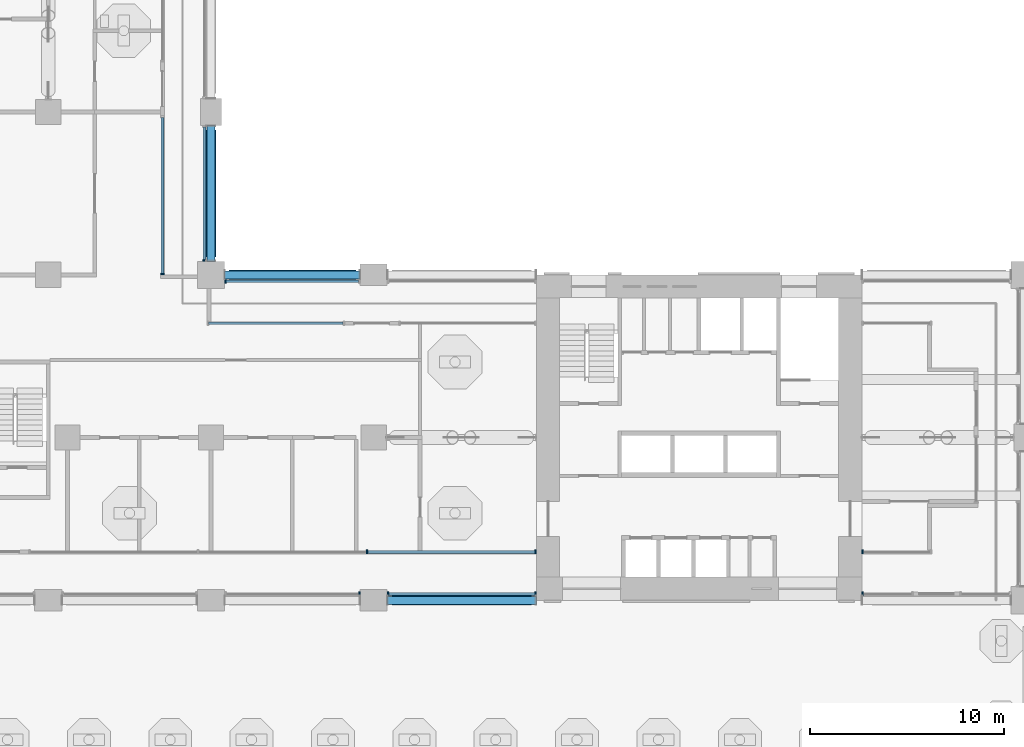
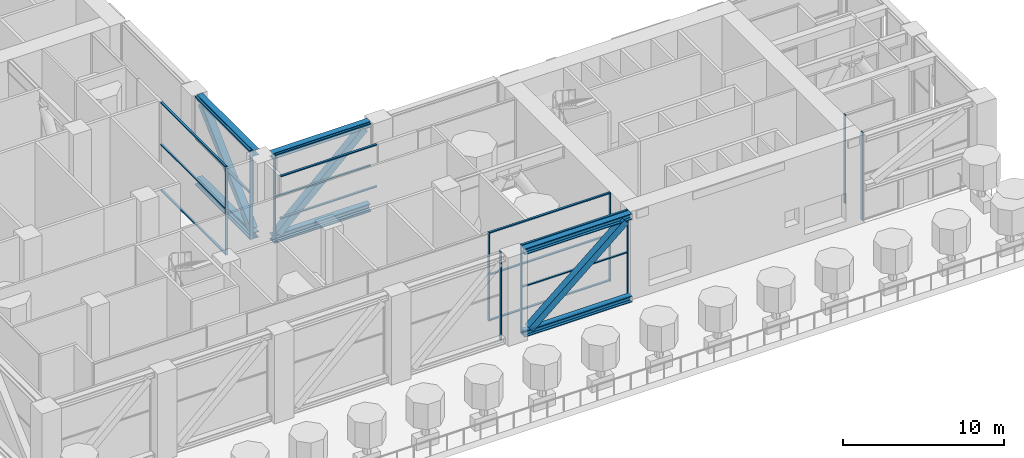
# One storey, part 3 of 28: 36 members, 9 elements without a shape of their own.
"""IFC4 building model written with IfcOpenShell, lengths in metres."""

from ifc_helpers import new_model, si_unit, direction, frame, origin, origin_2d, place, context, subcontext, project, spatial, rectangle, hollow_rectangle, i_section, extrude, material, material_profile, profile_set, type_object, element, aggregate, save


model = new_model("IFC4")

# Units and contexts
model_context = context("Model", 3, precision=1e-05, world=origin(), true_north=direction((0.0, 1.0)))
body_context = subcontext(model_context, "Body", "Model", "MODEL_VIEW")
ifc_project = project(units=[si_unit("LENGTHUNIT", "METRE"), si_unit("AREAUNIT", "SQUARE_METRE"), si_unit("VOLUMEUNIT", "CUBIC_METRE"), si_unit("PLANEANGLEUNIT", "RADIAN"), si_unit("MASSUNIT", "GRAM", prefix="KILO")], contexts=[model_context])

# Site, building, storey
site_placement = place(None, origin())
site = spatial("IfcSite", under=ifc_project, at=site_placement, CompositionType="ELEMENT")
building_placement = place(site_placement, origin())
building = spatial("IfcBuilding", under=site, at=building_placement, Name="Vermilion Gate Residences", CompositionType="ELEMENT")
storey_placement = place(building_placement, frame((0.0, 0.0, 74.199951171875)))
storey = spatial("IfcBuildingStorey", under=building, at=storey_placement, Name="L18", CompositionType="ELEMENT", Elevation=74.199951171875)

# Curtain wall, members
ifc_material_1 = material(Name="Aluminium and glass", Category="aluminium")
curtain_wall_type = type_object("IfcCurtainWallType", Name="SKY GARDEN GLAZING CURTAIN WALL", PredefinedType="NOTDEFINED", material=ifc_material_1)
curtain_wall_1_placement = place(storey_placement, origin())
curtain_wall_1 = element("IfcCurtainWall", 1, at=curtain_wall_1_placement, inside=storey, type_object=curtain_wall_type, Name="Sky Garden Glazing 62", PredefinedType="NOTDEFINED")
ifc_material_2 = material(Name="Aluminium", Category="aluminium")
ifc_material_profile_1 = material_profile(ifc_material_2, rectangle(XDim=0.199951171875, YDim=0.080078125, at=origin_2d()), Name="MULLION 80 X 200")
ifc_profile_set_1 = profile_set([ifc_material_profile_1], Name="Aluminium")
member_type_1 = type_object("IfcMemberType", Name="SKY GARDEN GLAZING MULLION 80 X 200", PredefinedType="MULLION", material=ifc_profile_set_1)
member_1_placement = place(storey_placement, frame((33.2666015625, 10.89990234375, 0.0), z_axis=(0.0, 0.0, 1.0), x_axis=(0.0, 1.0, 0.0)))
member_1 = element("IfcMember", 2, at=member_1_placement, type_object=member_type_1, Name="ECW3 mullion 3", PredefinedType="MULLION", context=body_context, shape_type="SweptSolid", body=[
    extrude(rectangle(XDim=0.199951171875, YDim=0.080078125, at=origin_2d()), origin(), (0.0, 0.0, 1.0), 6.719970703125),
])
member_2_placement = place(storey_placement, frame((41.9599609375, 10.89990234375, 0.0), z_axis=(0.0, 0.0, 1.0), x_axis=(0.0, 1.0, 0.0)))
member_2 = element("IfcMember", 3, at=member_2_placement, type_object=member_type_1, Name="ECW3 mullion 4", PredefinedType="MULLION", context=body_context, shape_type="SweptSolid", body=[
    extrude(rectangle(XDim=0.199951171875, YDim=0.080078125, at=origin_2d()), origin(), (0.0, 0.0, 1.0), 6.719970703125),
])

# Curtain wall, member
curtain_wall_2_placement = place(storey_placement, origin())
curtain_wall_2 = element("IfcCurtainWall", 4, at=curtain_wall_2_placement, inside=storey, type_object=curtain_wall_type, Name="Sky Garden Glazing 70", PredefinedType="NOTDEFINED")
member_3_placement = place(storey_placement, frame((58.840087890625, 10.89990234375, 0.0), z_axis=(0.0, 0.0, 1.0), x_axis=(0.0, 1.0, 0.0)))
member_3 = element("IfcMember", 5, at=member_3_placement, type_object=member_type_1, Name="ECW3 mullion 1", PredefinedType="MULLION", context=body_context, shape_type="SweptSolid", body=[
    extrude(rectangle(XDim=0.199951171875, YDim=0.080078125, at=origin_2d()), origin(), (0.0, 0.0, 1.0), 6.719970703125),
])
aggregate(curtain_wall_2, [member_3])

curtain_wall_3_placement = place(storey_placement, origin())
curtain_wall_3 = element("IfcCurtainWall", 6, at=curtain_wall_3_placement, inside=storey, type_object=curtain_wall_type, Name="Sky Garden Glazing 170", PredefinedType="NOTDEFINED")
member_4_placement = place(storey_placement, frame((22.699951171875, 25.239990234375, 0.0), z_axis=(0.0, 0.0, 1.0), x_axis=(-1.0, 0.0, 0.0)))
member_4 = element("IfcMember", 7, at=member_4_placement, type_object=member_type_1, Name="ECW3 mullion 1", PredefinedType="MULLION", context=body_context, shape_type="SweptSolid", body=[
    extrude(rectangle(XDim=0.199951171875, YDim=0.080078125, at=origin_2d()), origin(), (0.0, 0.0, 1.0), 6.719970703125),
])

curtain_wall_4_placement = place(storey_placement, origin())
curtain_wall_4 = element("IfcCurtainWall", 8, at=curtain_wall_4_placement, inside=storey, type_object=curtain_wall_type, Name="Sky Garden Glazing 509", PredefinedType="NOTDEFINED")
member_5_placement = place(storey_placement, frame((32.860107421875, 8.72998046875, 0.0), z_axis=(0.0, 0.0, 1.0), x_axis=(0.0, 1.0, 0.0)))
member_5 = element("IfcMember", 9, at=member_5_placement, type_object=member_type_1, Name="ECW3 mullion 2", PredefinedType="MULLION", context=body_context, shape_type="SweptSolid", body=[
    extrude(rectangle(XDim=0.199951171875, YDim=0.080078125, at=origin_2d()), origin(), (0.0, 0.0, 1.0), 6.719970703125),
])
aggregate(curtain_wall_4, [member_5])

# Curtain wall, members
curtain_wall_5_placement = place(storey_placement, origin())
curtain_wall_5 = element("IfcCurtainWall", 10, at=curtain_wall_5_placement, inside=storey, type_object=curtain_wall_type, Name="Sky Garden Glazing 510", PredefinedType="NOTDEFINED")
member_6_placement = place(storey_placement, frame((34.340087890625, 8.72998046875, 0.0), z_axis=(0.0, 0.0, 1.0), x_axis=(0.0, 1.0, 0.0)))
member_6 = element("IfcMember", 11, at=member_6_placement, type_object=member_type_1, Name="ECW3 mullion 1", PredefinedType="MULLION", context=body_context, shape_type="SweptSolid", body=[
    extrude(rectangle(XDim=0.199951171875, YDim=0.080078125, at=origin_2d()), origin(), (0.0, 0.0, 1.0), 6.719970703125),
])
member_7_placement = place(storey_placement, frame((41.9599609375, 8.72998046875, 0.0), z_axis=(0.0, 0.0, 1.0), x_axis=(0.0, 1.0, 0.0)))
member_7 = element("IfcMember", 12, at=member_7_placement, type_object=member_type_1, Name="ECW3 mullion 2", PredefinedType="MULLION", context=body_context, shape_type="SweptSolid", body=[
    extrude(rectangle(XDim=0.199951171875, YDim=0.080078125, at=origin_2d()), origin(), (0.0, 0.0, 1.0), 6.719970703125),
])

# Curtain wall, member
curtain_wall_6_placement = place(storey_placement, origin())
curtain_wall_6 = element("IfcCurtainWall", 13, at=curtain_wall_6_placement, inside=storey, type_object=curtain_wall_type, Name="Sky Garden Glazing 810", PredefinedType="NOTDEFINED")
member_8_placement = place(storey_placement, frame((58.840087890625, 8.72998046875, 0.0), z_axis=(0.0, 0.0, 1.0), x_axis=(0.0, 1.0, 0.0)))
member_8 = element("IfcMember", 14, at=member_8_placement, type_object=member_type_1, Name="ECW3 mullion 1", PredefinedType="MULLION", context=body_context, shape_type="SweptSolid", body=[
    extrude(rectangle(XDim=0.199951171875, YDim=0.080078125, at=origin_2d()), origin(), (0.0, 0.0, 1.0), 6.719970703125),
])
aggregate(curtain_wall_6, [member_8])

curtain_wall_7_placement = place(storey_placement, origin())
curtain_wall_7 = element("IfcCurtainWall", 15, at=curtain_wall_7_placement, inside=storey, type_object=curtain_wall_type, Name="Sky Garden Glazing 518", PredefinedType="NOTDEFINED")
member_9_placement = place(storey_placement, frame((25.93994140625, 24.8701171875, 0.0), z_axis=(0.0, 0.0, 1.0), x_axis=(0.0, -1.0, 0.0)))
member_9 = element("IfcMember", 16, at=member_9_placement, type_object=member_type_1, Name="ECW3 mullion 2", PredefinedType="MULLION", context=body_context, shape_type="SweptSolid", body=[
    extrude(rectangle(XDim=0.199951171875, YDim=0.080078125, at=origin_2d()), origin(), (0.0, 0.0, 1.0), 6.719970703125),
])

curtain_wall_8_placement = place(storey_placement, origin())
curtain_wall_8 = element("IfcCurtainWall", 17, at=curtain_wall_8_placement, inside=storey, type_object=curtain_wall_type, Name="Sky Garden Glazing 519", PredefinedType="NOTDEFINED")
member_10_placement = place(storey_placement, frame((24.8701171875, 25.93994140625, 0.0), z_axis=(0.0, 0.0, 1.0), x_axis=(-1.0, 0.0, 0.0)))
member_10 = element("IfcMember", 18, at=member_10_placement, type_object=member_type_1, Name="ECW3 mullion 1", PredefinedType="MULLION", context=body_context, shape_type="SweptSolid", body=[
    extrude(rectangle(XDim=0.199951171875, YDim=0.080078125, at=origin_2d()), origin(), (0.0, 0.0, 1.0), 6.719970703125),
])

# Member
ifc_material_3 = material(Name="Aluminium", Category="aluminium")
ifc_material_profile_2 = material_profile(ifc_material_3, rectangle(XDim=0.14990234375, YDim=0.080078125, at=origin_2d()), Name="TRANSOM 80 X 150")
ifc_profile_set_2 = profile_set([ifc_material_profile_2], Name="Aluminium")
member_type_2 = type_object("IfcMemberType", Name="SKY GARDEN GLAZING TRANSOM 80 X 150", PredefinedType="MULLION", material=ifc_profile_set_2)
member_11_placement = place(storey_placement, frame((33.306640625, 10.89990234375, 0.0400390625), z_axis=(1.0, 0.0, 0.0), x_axis=(0.0, 1.0, 0.0)))
member_11 = element("IfcMember", 19, at=member_11_placement, type_object=member_type_2, Name="ECW3 transom 3.1", PredefinedType="MULLION", context=body_context, shape_type="SweptSolid", body=[
    extrude(rectangle(XDim=0.14990234375, YDim=0.080078125, at=origin_2d()), origin(), (0.0, 0.0, 1.0), 8.61328125),
])

member_12_placement = place(storey_placement, frame((33.306640625, 10.89990234375, 3.5), z_axis=(1.0, 0.0, 0.0), x_axis=(0.0, 1.0, 0.0)))
member_12 = element("IfcMember", 20, at=member_12_placement, type_object=member_type_2, Name="ECW3 transom 3.2", PredefinedType="MULLION", context=body_context, shape_type="SweptSolid", body=[
    extrude(rectangle(XDim=0.14990234375, YDim=0.080078125, at=origin_2d()), origin(), (0.0, 0.0, 1.0), 8.61328125),
])

member_13_placement = place(storey_placement, frame((33.306640625, 10.89990234375, 6.679931640625), z_axis=(1.0, 0.0, 0.0), x_axis=(0.0, 1.0, 0.0)))
member_13 = element("IfcMember", 21, at=member_13_placement, type_object=member_type_2, Name="ECW3 transom 3.3", PredefinedType="MULLION", context=body_context, shape_type="SweptSolid", body=[
    extrude(rectangle(XDim=0.14990234375, YDim=0.080078125, at=origin_2d()), origin(), (0.0, 0.0, 1.0), 8.61328125),
])

aggregate(curtain_wall_1, [member_1, member_2, member_11, member_12, member_13])

# Curtain wall, members
curtain_wall_9_placement = place(storey_placement, origin())
curtain_wall_9 = element("IfcCurtainWall", 22, at=curtain_wall_9_placement, inside=storey, type_object=curtain_wall_type, Name="Sky Garden Glazing 142", PredefinedType="NOTDEFINED")
member_14_placement = place(storey_placement, frame((32.02001953125, 22.699951171875, 3.5), z_axis=(-1.0, 0.0, 0.0), x_axis=(0.0, -1.0, 0.0)))
member_14 = element("IfcMember", 23, at=member_14_placement, type_object=member_type_2, Name="ECW3 transom 1.2", PredefinedType="MULLION", context=body_context, shape_type="SweptSolid", body=[
    extrude(rectangle(XDim=0.14990234375, YDim=0.080078125, at=origin_2d()), origin(), (0.0, 0.0, 1.0), 6.93994140625),
])
member_15_placement = place(storey_placement, frame((32.02001953125, 22.699951171875, 6.679931640625), z_axis=(-1.0, 0.0, 0.0), x_axis=(0.0, -1.0, 0.0)))
member_15 = element("IfcMember", 24, at=member_15_placement, type_object=member_type_2, Name="ECW3 transom 1.3", PredefinedType="MULLION", context=body_context, shape_type="SweptSolid", body=[
    extrude(rectangle(XDim=0.14990234375, YDim=0.080078125, at=origin_2d()), origin(), (0.0, 0.0, 1.0), 6.93994140625),
])
aggregate(curtain_wall_9, [member_14, member_15])

# Member
member_16_placement = place(storey_placement, frame((22.699951171875, 25.280029296875, 0.0400390625), z_axis=(0.0, 1.0, 0.0), x_axis=(-1.0, 0.0, 0.0)))
member_16 = element("IfcMember", 25, at=member_16_placement, type_object=member_type_2, Name="ECW3 transom 1.1", PredefinedType="MULLION", context=body_context, shape_type="SweptSolid", body=[
    extrude(rectangle(XDim=0.14990234375, YDim=0.080078125, at=origin_2d()), origin(), (0.0, 0.0, 1.0), 8.0400390625),
])

member_17_placement = place(storey_placement, frame((22.699951171875, 25.280029296875, 3.5), z_axis=(0.0, 1.0, 0.0), x_axis=(-1.0, 0.0, 0.0)))
member_17 = element("IfcMember", 26, at=member_17_placement, type_object=member_type_2, Name="ECW3 transom 1.2", PredefinedType="MULLION", context=body_context, shape_type="SweptSolid", body=[
    extrude(rectangle(XDim=0.14990234375, YDim=0.080078125, at=origin_2d()), origin(), (0.0, 0.0, 1.0), 8.0400390625),
])

member_18_placement = place(storey_placement, frame((22.699951171875, 25.280029296875, 6.679931640625), z_axis=(0.0, 1.0, 0.0), x_axis=(-1.0, 0.0, 0.0)))
member_18 = element("IfcMember", 27, at=member_18_placement, type_object=member_type_2, Name="ECW3 transom 1.3", PredefinedType="MULLION", context=body_context, shape_type="SweptSolid", body=[
    extrude(rectangle(XDim=0.14990234375, YDim=0.080078125, at=origin_2d()), origin(), (0.0, 0.0, 1.0), 8.0400390625),
])

aggregate(curtain_wall_3, [member_4, member_16, member_17, member_18])

member_19_placement = place(storey_placement, frame((34.3798828125, 8.72998046875, 0.0400390625), z_axis=(1.0, 0.0, 0.0), x_axis=(0.0, 1.0, 0.0)))
member_19 = element("IfcMember", 28, at=member_19_placement, type_object=member_type_2, Name="ECW3 transom 1.1", PredefinedType="MULLION", context=body_context, shape_type="SweptSolid", body=[
    extrude(rectangle(XDim=0.14990234375, YDim=0.080078125, at=origin_2d()), origin(), (0.0, 0.0, 1.0), 7.5400390625),
])

member_20_placement = place(storey_placement, frame((34.3798828125, 8.72998046875, 3.5), z_axis=(1.0, 0.0, 0.0), x_axis=(0.0, 1.0, 0.0)))
member_20 = element("IfcMember", 29, at=member_20_placement, type_object=member_type_2, Name="ECW3 transom 1.2", PredefinedType="MULLION", context=body_context, shape_type="SweptSolid", body=[
    extrude(rectangle(XDim=0.14990234375, YDim=0.080078125, at=origin_2d()), origin(), (0.0, 0.0, 1.0), 7.5400390625),
])

member_21_placement = place(storey_placement, frame((34.3798828125, 8.72998046875, 6.679931640625), z_axis=(1.0, 0.0, 0.0), x_axis=(0.0, 1.0, 0.0)))
member_21 = element("IfcMember", 30, at=member_21_placement, type_object=member_type_2, Name="ECW3 transom 1.3", PredefinedType="MULLION", context=body_context, shape_type="SweptSolid", body=[
    extrude(rectangle(XDim=0.14990234375, YDim=0.080078125, at=origin_2d()), origin(), (0.0, 0.0, 1.0), 7.5400390625),
])

aggregate(curtain_wall_5, [member_6, member_7, member_19, member_20, member_21])

member_22_placement = place(storey_placement, frame((32.820068359375, 24.8701171875, 0.0400390625), z_axis=(-1.0, 0.0, 0.0), x_axis=(0.0, -1.0, 0.0)))
member_22 = element("IfcMember", 31, at=member_22_placement, type_object=member_type_2, Name="ECW3 transom 1.1", PredefinedType="MULLION", context=body_context, shape_type="SweptSolid", body=[
    extrude(rectangle(XDim=0.14990234375, YDim=0.080078125, at=origin_2d()), origin(), (0.0, 0.0, 1.0), 6.840087890625),
])

member_23_placement = place(storey_placement, frame((32.820068359375, 24.8701171875, 3.5), z_axis=(-1.0, 0.0, 0.0), x_axis=(0.0, -1.0, 0.0)))
member_23 = element("IfcMember", 32, at=member_23_placement, type_object=member_type_2, Name="ECW3 transom 1.2", PredefinedType="MULLION", context=body_context, shape_type="SweptSolid", body=[
    extrude(rectangle(XDim=0.14990234375, YDim=0.080078125, at=origin_2d()), origin(), (0.0, 0.0, 1.0), 6.840087890625),
])

member_24_placement = place(storey_placement, frame((32.820068359375, 24.8701171875, 6.679931640625), z_axis=(-1.0, 0.0, 0.0), x_axis=(0.0, -1.0, 0.0)))
member_24 = element("IfcMember", 33, at=member_24_placement, type_object=member_type_2, Name="ECW3 transom 1.3", PredefinedType="MULLION", context=body_context, shape_type="SweptSolid", body=[
    extrude(rectangle(XDim=0.14990234375, YDim=0.080078125, at=origin_2d()), origin(), (0.0, 0.0, 1.0), 6.840087890625),
])

aggregate(curtain_wall_7, [member_9, member_22, member_23, member_24])

member_25_placement = place(storey_placement, frame((24.8701171875, 25.97998046875, 0.0400390625), z_axis=(0.0, 1.0, 0.0), x_axis=(-1.0, 0.0, 0.0)))
member_25 = element("IfcMember", 34, at=member_25_placement, type_object=member_type_2, Name="ECW3 transom 1.1", PredefinedType="MULLION", context=body_context, shape_type="SweptSolid", body=[
    extrude(rectangle(XDim=0.14990234375, YDim=0.080078125, at=origin_2d()), origin(), (0.0, 0.0, 1.0), 6.840087890625),
])

member_26_placement = place(storey_placement, frame((24.8701171875, 25.97998046875, 3.5), z_axis=(0.0, 1.0, 0.0), x_axis=(-1.0, 0.0, 0.0)))
member_26 = element("IfcMember", 35, at=member_26_placement, type_object=member_type_2, Name="ECW3 transom 1.2", PredefinedType="MULLION", context=body_context, shape_type="SweptSolid", body=[
    extrude(rectangle(XDim=0.14990234375, YDim=0.080078125, at=origin_2d()), origin(), (0.0, 0.0, 1.0), 6.840087890625),
])

member_27_placement = place(storey_placement, frame((24.8701171875, 25.97998046875, 6.679931640625), z_axis=(0.0, 1.0, 0.0), x_axis=(-1.0, 0.0, 0.0)))
member_27 = element("IfcMember", 36, at=member_27_placement, type_object=member_type_2, Name="ECW3 transom 1.3", PredefinedType="MULLION", context=body_context, shape_type="SweptSolid", body=[
    extrude(rectangle(XDim=0.14990234375, YDim=0.080078125, at=origin_2d()), origin(), (0.0, 0.0, 1.0), 6.840087890625),
])

aggregate(curtain_wall_8, [member_10, member_25, member_26, member_27])

# Members
ifc_material_4 = material(Name="Steel SM490", Category="steel")
ifc_material_profile_3 = material_profile(ifc_material_4, i_section(OverallWidth=0.4169921875, OverallDepth=0.4580078125, WebThickness=0.030029296875, FlangeThickness=0.050048828125, at=origin_2d()), Name="H-458x417x30x50")
ifc_profile_set_3 = profile_set([ifc_material_profile_3], Name="Steel SM490")
member_type_3 = type_object("IfcMemberType", Name="STEEL BELT TRUSS CHORD H-458x417x30x50 SM490", PredefinedType="CHORD", material=ifc_profile_set_3)
for number, where, z_axis, x_axis, name in (
    (37, (25.199951171875, 25.89990234375, 0.22900390625), (0.0, 1.0, 0.0), (-1.0, 0.0, 0.0), "Belt Truss chord bot L18 BELT11"),
    (38, (25.199951171875, 25.89990234375, 6.490966796875), (0.0, 1.0, 0.0), (-1.0, 0.0, 0.0), "Belt Truss chord top L18 BELT11"),
    (39, (25.89990234375, 25.199951171875, 0.22900390625), (1.0, 0.0, 0.0), (0.0, 1.0, 0.0), "Belt Truss chord bot L18 BELT14"),
    (40, (25.89990234375, 25.199951171875, 6.490966796875), (1.0, 0.0, 0.0), (0.0, 1.0, 0.0), "Belt Truss chord top L18 BELT14"),
):
    element("IfcMember", number, at=place(storey_placement, frame(where, z_axis=z_axis, x_axis=x_axis)), inside=storey, type_object=member_type_3, Name=name, PredefinedType="CHORD", context=body_context, shape_type="SweptSolid", body=[
        extrude(i_section(OverallWidth=0.4169921875, OverallDepth=0.4580078125, WebThickness=0.030029296875, FlangeThickness=0.050048828125, at=origin_2d()), origin(), (0.0, 0.0, 1.0), 7.0),
    ])
for number, where, z_axis, x_axis, name in (
    (41, (34.300048828125, 8.39990234375, 0.22900390625), (1.0, 0.0, 0.0), (0.0, 1.0, 0.0), "Belt Truss chord bot L18 BELT15"),
    (42, (34.300048828125, 8.39990234375, 6.490966796875), (1.0, 0.0, 0.0), (0.0, 1.0, 0.0), "Belt Truss chord top L18 BELT15"),
):
    element("IfcMember", number, at=place(storey_placement, frame(where, z_axis=z_axis, x_axis=x_axis)), inside=storey, type_object=member_type_3, Name=name, PredefinedType="CHORD", context=body_context, shape_type="SweptSolid", body=[
        extrude(i_section(OverallWidth=0.4169921875, OverallDepth=0.4580078125, WebThickness=0.030029296875, FlangeThickness=0.050048828125, at=origin_2d()), origin(), (0.0, 0.0, 1.0), 7.699951171875),
    ])
ifc_material_5 = material(Name="Steel SM490", Category="steel")
ifc_material_profile_4 = material_profile(ifc_material_5, hollow_rectangle(XDim=0.5, YDim=0.5, WallThickness=0.02197265625, at=origin_2d()), Name="BOX-500x500x22")
ifc_profile_set_4 = profile_set([ifc_material_profile_4], Name="Steel SM490")
member_type_4 = type_object("IfcMemberType", Name="STEEL BELT TRUSS DIAGONAL BOX-500x500x22 SM490", PredefinedType="BRACE", material=ifc_profile_set_4)
for number, where, z_axis, x_axis, name in (
    (43, (25.199951171875, 26.291748046875, 0.4580078125), (0.0, 0.730947389044, 0.682433816901), (-1.0, 0.0, 0.0), "Belt Truss diagonal L18 BELT11-1"),
    (44, (26.291748046875, 25.199951171875, 0.4580078125), (0.730947389044, 0.0, 0.682433816901), (0.0, 1.0, 0.0), "Belt Truss diagonal L18 BELT14-1"),
):
    element("IfcMember", number, at=place(storey_placement, frame(where, z_axis=z_axis, x_axis=x_axis)), inside=storey, type_object=member_type_4, Name=name, PredefinedType="BRACE", context=body_context, shape_type="SweptSolid", body=[
        extrude(hollow_rectangle(XDim=0.5, YDim=0.5, WallThickness=0.02197265625, at=origin_2d()), origin(), (0.0, 0.0, 1.0), 8.5048828125),
    ])
member_28_placement = place(storey_placement, frame((34.71533203125, 8.39990234375, 0.4580078125), z_axis=(0.763857704741, 0.0, 0.645384696834), x_axis=(0.0, 1.0, 0.0)))
element("IfcMember", 45, at=member_28_placement, inside=storey, type_object=member_type_4, Name="Belt Truss diagonal L18 BELT15-1", PredefinedType="BRACE", context=body_context, shape_type="SweptSolid", body=[
    extrude(hollow_rectangle(XDim=0.5, YDim=0.5, WallThickness=0.02197265625, at=origin_2d()), origin(), (0.0, 0.0, 1.0), 8.992919921875),
])

save(model, "model.ifc")
